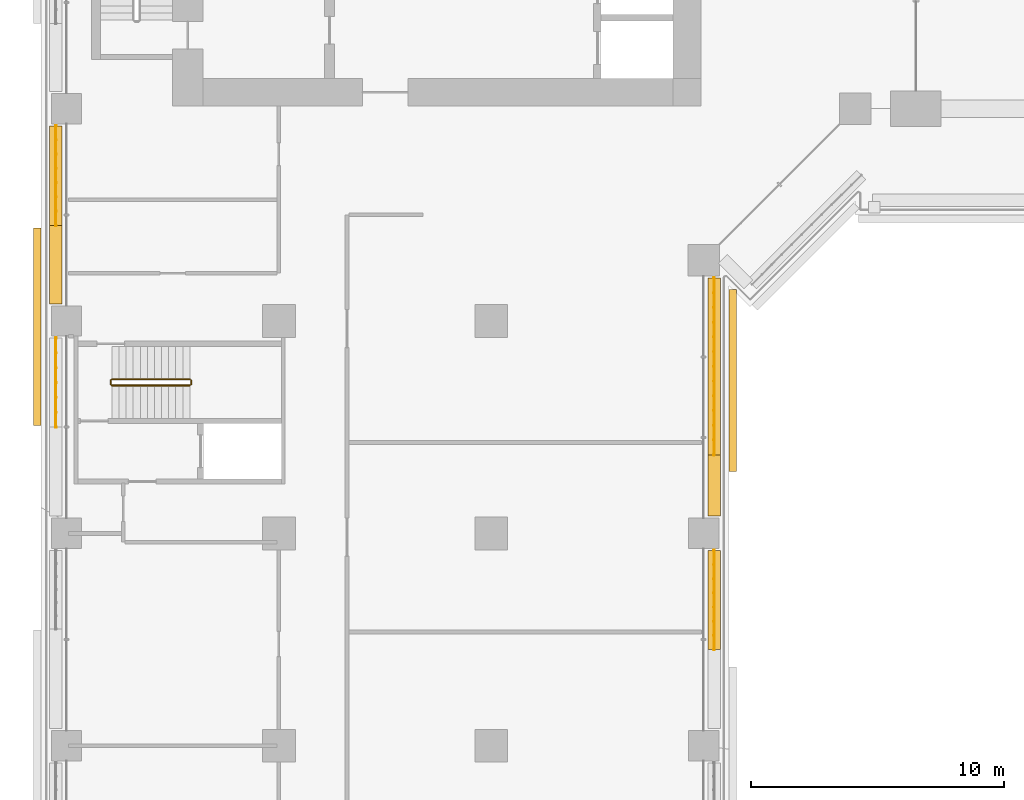
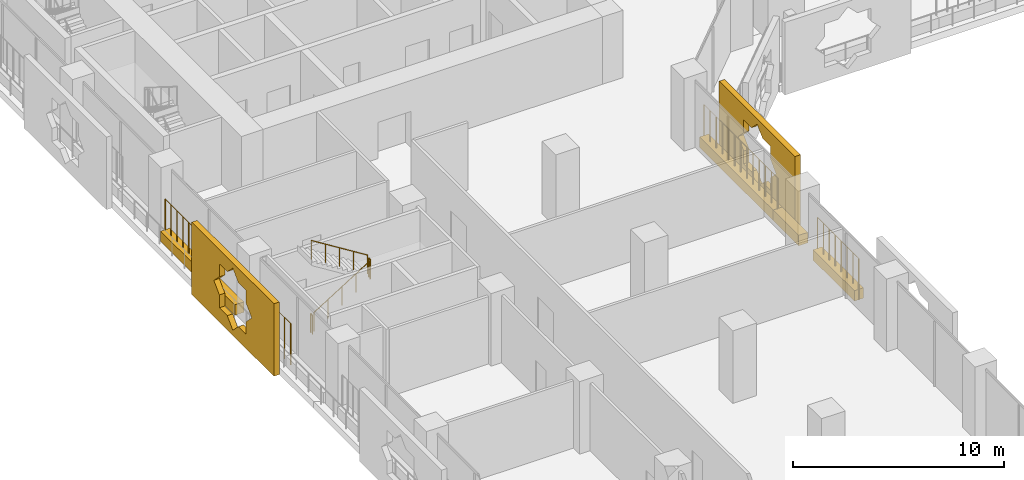
# One storey, part 19 of 27: 8 railings, 7 coverings.
"""IFC4 building model written with IfcOpenShell, lengths in metres."""

from ifc_helpers import new_model, si_unit, direction, frame, origin, origin_2d, place, context, subcontext, project, spatial, polyline, rectangle, circle, outline, extrude, material, material_profile, profile_set, type_object, element, save


model = new_model("IFC4")

# Units and contexts
model_context = context("Model", 3, precision=1e-05, world=origin(), true_north=direction((0.0, 1.0)))
body_context = subcontext(model_context, "Body", "Model", "MODEL_VIEW")
ifc_project = project(units=[si_unit("LENGTHUNIT", "METRE"), si_unit("AREAUNIT", "SQUARE_METRE"), si_unit("VOLUMEUNIT", "CUBIC_METRE"), si_unit("PLANEANGLEUNIT", "RADIAN"), si_unit("MASSUNIT", "GRAM", prefix="KILO")], contexts=[model_context])

# Site, building, storey
site_placement = place(None, origin())
site = spatial("IfcSite", under=ifc_project, at=site_placement, CompositionType="ELEMENT")
building_placement = place(site_placement, origin())
building = spatial("IfcBuilding", under=site, at=building_placement, Name="Kawkab Arch Medical Tower", CompositionType="ELEMENT")
storey_placement = place(building_placement, frame((0.0, 0.0, 39.199951171875)))
storey = spatial("IfcBuildingStorey", under=building, at=storey_placement, Name="L08", CompositionType="ELEMENT", Elevation=39.199951171875)

# Coverings
ifc_material_1 = material(Name="Bronze anodised aluminium mashrabiya panel, eight-point star pattern", Category="aluminium")
ifc_material_profile_1 = material_profile(ifc_material_1, outline(polyline([(-3.60009765625, -2.10009765625), (3.60009765625, -2.10009765625), (3.60009765625, 2.10009765625), (-3.60009765625, 2.10009765625), (-3.60009765625, -2.10009765625)]), holes=[polyline([(1.800048828125, 0.0), (1.272705078125, 0.527099609375), (1.272705078125, 1.272705078125), (0.527099609375, 1.272705078125), (0.0, 1.800048828125), (-0.527099609375, 1.272705078125), (-1.272705078125, 1.272705078125), (-1.272705078125, 0.527099609375), (-1.800048828125, 0.0), (-1.272705078125, -0.527099609375), (-1.272705078125, -1.272705078125), (-0.527099609375, -1.272705078125), (0.0, -1.800048828125), (0.527099609375, -1.272705078125), (1.272705078125, -1.272705078125), (1.272705078125, -0.527099609375), (1.800048828125, 0.0)])]), Name="Mashrabiya panel 7200x4200")
ifc_profile_set_1 = profile_set([ifc_material_profile_1], Name="Bronze anodised aluminium mashrabiya panel, eight-point star pattern")
covering_type_1 = type_object("IfcCoveringType", Name="Mashrabiya panel 7200 x 4200", PredefinedType="USERDEFINED", material=ifc_profile_set_1)
covering_1_placement = place(storey_placement, frame((26.199951171875, -35.944580078125, 1.699951171875), z_axis=(1.0, 0.0, 0.0), x_axis=(0.0, 1.0, 0.0)))
element("IfcCovering", 1, at=covering_1_placement, inside=storey, type_object=covering_type_1, Name="Mashrabiya panel L08.LOG-01-01.16", ObjectType="SCREEN", PredefinedType="USERDEFINED", context=body_context, shape_type="SweptSolid", body=[
    extrude(outline(polyline([(-3.60009765625, -2.10009765625), (3.60009765625, -2.10009765625), (3.60009765625, 2.10009765625), (-3.60009765625, 2.10009765625), (-3.60009765625, -2.10009765625)]), holes=[polyline([(1.800048828125, 0.0), (1.272705078125, 0.527099609375), (1.272705078125, 1.272705078125), (0.527099609375, 1.272705078125), (0.0, 1.800048828125), (-0.527099609375, 1.272705078125), (-1.272705078125, 1.272705078125), (-1.272705078125, 0.527099609375), (-1.800048828125, 0.0), (-1.272705078125, -0.527099609375), (-1.272705078125, -1.272705078125), (-0.527099609375, -1.272705078125), (0.0, -1.800048828125), (0.527099609375, -1.272705078125), (1.272705078125, -1.272705078125), (1.272705078125, -0.527099609375), (1.800048828125, 0.0)])]), origin(), (0.0, 0.0, 1.0), 0.300048828125),
])
ifc_material_2 = material(Name="Bronze anodised aluminium mashrabiya panel, eight-point star pattern", Category="aluminium")
ifc_material_profile_2 = material_profile(ifc_material_2, outline(polyline([(-3.89990234375, -2.10009765625), (3.89990234375, -2.10009765625), (3.89990234375, 2.10009765625), (-3.89990234375, 2.10009765625), (-3.89990234375, -2.10009765625)]), holes=[polyline([(1.800048828125, 0.0), (1.272705078125, 0.527099609375), (1.272705078125, 1.272705078125), (0.527099609375, 1.272705078125), (0.0, 1.800048828125), (-0.527099609375, 1.272705078125), (-1.272705078125, 1.272705078125), (-1.272705078125, 0.527099609375), (-1.800048828125, 0.0), (-1.272705078125, -0.527099609375), (-1.272705078125, -1.272705078125), (-0.527099609375, -1.272705078125), (0.0, -1.800048828125), (0.527099609375, -1.272705078125), (1.272705078125, -1.272705078125), (1.272705078125, -0.527099609375), (1.800048828125, 0.0)])]), Name="Mashrabiya panel 7800x4200")
ifc_profile_set_2 = profile_set([ifc_material_profile_2], Name="Bronze anodised aluminium mashrabiya panel, eight-point star pattern")
covering_type_2 = type_object("IfcCoveringType", Name="Mashrabiya panel 7800 x 4200", PredefinedType="USERDEFINED", material=ifc_profile_set_2)
covering_2_placement = place(storey_placement, frame((-1.0, -33.82470703125, 1.699951171875), z_axis=(-1.0, 0.0, 0.0), x_axis=(0.0, -1.0, 0.0)))
element("IfcCovering", 2, at=covering_2_placement, inside=storey, type_object=covering_type_2, Name="Mashrabiya panel L08.LOG-01-01.4", ObjectType="SCREEN", PredefinedType="USERDEFINED", context=body_context, shape_type="SweptSolid", body=[
    extrude(outline(polyline([(-3.89990234375, -2.10009765625), (3.89990234375, -2.10009765625), (3.89990234375, 2.10009765625), (-3.89990234375, 2.10009765625), (-3.89990234375, -2.10009765625)]), holes=[polyline([(1.800048828125, 0.0), (1.272705078125, 0.527099609375), (1.272705078125, 1.272705078125), (0.527099609375, 1.272705078125), (0.0, 1.800048828125), (-0.527099609375, 1.272705078125), (-1.272705078125, 1.272705078125), (-1.272705078125, 0.527099609375), (-1.800048828125, 0.0), (-1.272705078125, -0.527099609375), (-1.272705078125, -1.272705078125), (-0.527099609375, -1.272705078125), (0.0, -1.800048828125), (0.527099609375, -1.272705078125), (1.272705078125, -1.272705078125), (1.272705078125, -0.527099609375), (1.800048828125, 0.0)])]), origin(), (0.0, 0.0, 1.0), 0.300048828125),
])
ifc_material_3 = material(Name="Planting soil in a precast trough", Category="concrete")
ifc_material_profile_3 = material_profile(ifc_material_3, rectangle(XDim=0.5, YDim=0.60009765625, at=origin_2d()), Name="Trough 500x600")
ifc_profile_set_3 = profile_set([ifc_material_profile_3], Name="Planting soil in a precast trough")
covering_type_3 = type_object("IfcCoveringType", Name="Planter trough 500 x 600", PredefinedType="USERDEFINED", material=ifc_profile_set_3)
covering_3_placement = place(storey_placement, frame((-0.419921875, -32.919921875, 0.300048828125), z_axis=(0.0, 1.0, 0.0), x_axis=(-1.0, 0.0, 0.0)))
element("IfcCovering", 3, at=covering_3_placement, inside=storey, type_object=covering_type_3, Name="Planter L08.LOG-01-01.16", ObjectType="PLANTER", PredefinedType="USERDEFINED", context=body_context, shape_type="SweptSolid", body=[
    extrude(rectangle(XDim=0.5, YDim=0.60009765625, at=origin_2d()), origin(), (0.0, 0.0, 1.0), 3.100830078125),
])
covering_4_placement = place(storey_placement, frame((-0.419921875, -29.819091796875, 0.300048828125), z_axis=(0.0, 1.0, 0.0), x_axis=(-1.0, 0.0, 0.0)))
element("IfcCovering", 4, at=covering_4_placement, inside=storey, type_object=covering_type_3, Name="Planter L08.LOG-01-01.17", ObjectType="PLANTER", PredefinedType="USERDEFINED", context=body_context, shape_type="SweptSolid", body=[
    extrude(rectangle(XDim=0.5, YDim=0.60009765625, at=origin_2d()), origin(), (0.0, 0.0, 1.0), 3.939208984375),
])
covering_5_placement = place(storey_placement, frame((25.6201171875, -31.905029296875, 0.300048828125), z_axis=(0.0, -1.0, 0.0), x_axis=(1.0, 0.0, 0.0)))
element("IfcCovering", 5, at=covering_5_placement, inside=storey, type_object=covering_type_3, Name="Planter L08.LOG-01-01.49", ObjectType="PLANTER", PredefinedType="USERDEFINED", context=body_context, shape_type="SweptSolid", body=[
    extrude(rectangle(XDim=0.5, YDim=0.60009765625, at=origin_2d()), origin(), (0.0, 0.0, 1.0), 6.988037109375),
])
covering_6_placement = place(storey_placement, frame((25.6201171875, -38.89306640625, 0.300048828125), z_axis=(0.0, -1.0, 0.0), x_axis=(1.0, 0.0, 0.0)))
element("IfcCovering", 6, at=covering_6_placement, inside=storey, type_object=covering_type_3, Name="Planter L08.LOG-01-01.50", ObjectType="PLANTER", PredefinedType="USERDEFINED", context=body_context, shape_type="SweptSolid", body=[
    extrude(rectangle(XDim=0.5, YDim=0.60009765625, at=origin_2d()), origin(), (0.0, 0.0, 1.0), 2.427001953125),
])
covering_7_placement = place(storey_placement, frame((25.6201171875, -42.679931640625, 0.300048828125), z_axis=(0.0, -1.0, 0.0), x_axis=(1.0, 0.0, 0.0)))
element("IfcCovering", 7, at=covering_7_placement, inside=storey, type_object=covering_type_3, Name="Planter L08.LOG-01-01.51", ObjectType="PLANTER", PredefinedType="USERDEFINED", context=body_context, shape_type="SweptSolid", body=[
    extrude(rectangle(XDim=0.5, YDim=0.60009765625, at=origin_2d()), origin(), (0.0, 0.0, 1.0), 3.921142578125),
])

# Railings
ifc_material_4 = material(Name="Bronze anodised aluminium trellis for climbing plants", Category="aluminium")
railing_type_1 = type_object("IfcRailingType", Name="Planting trellis 2400", PredefinedType="USERDEFINED", material=ifc_material_4)
railing_1_placement = place(storey_placement, frame((-0.419921875, -37.800048828125, 0.0)))
element("IfcRailing", 8, at=railing_1_placement, inside=storey, type_object=railing_type_1, Name="Planting trellis L08.LOG-01-01.15", ObjectType="TRELLIS", PredefinedType="USERDEFINED", context=body_context, shape_type="SweptSolid", body=[
    extrude(circle(Radius=0.01513671875, at=origin_2d()), frame((0.0, 0.0, 2.384765625), z_axis=(0.0, 1.0, 0.0), x_axis=(-1.0, 0.0, 0.0)), (0.0, 0.0, 1.0), 3.52001953125),
    extrude(circle(Radius=0.030029296875, at=origin_2d()), origin(), (0.0, 0.0, 1.0), 2.369873046875),
    extrude(circle(Radius=0.030029296875, at=origin_2d()), frame((0.0, 0.586669921875, 0.0)), (0.0, 0.0, 1.0), 2.369873046875),
    extrude(circle(Radius=0.030029296875, at=origin_2d()), frame((0.0, 1.17333984375, 0.0)), (0.0, 0.0, 1.0), 2.369873046875),
    extrude(circle(Radius=0.030029296875, at=origin_2d()), frame((0.0, 1.760009765625, 0.0)), (0.0, 0.0, 1.0), 2.369873046875),
    extrude(circle(Radius=0.030029296875, at=origin_2d()), frame((0.0, 2.3466796875, 0.0)), (0.0, 0.0, 1.0), 2.369873046875),
    extrude(circle(Radius=0.030029296875, at=origin_2d()), frame((0.0, 2.933349609375, 0.0)), (0.0, 0.0, 1.0), 2.369873046875),
    extrude(circle(Radius=0.030029296875, at=origin_2d()), frame((0.0, 3.52001953125, 0.0)), (0.0, 0.0, 1.0), 2.369873046875),
])
railing_2_placement = place(storey_placement, frame((-0.419921875, -29.819091796875, 0.0)))
element("IfcRailing", 9, at=railing_2_placement, inside=storey, type_object=railing_type_1, Name="Planting trellis L08.LOG-01-01.17", ObjectType="TRELLIS", PredefinedType="USERDEFINED", context=body_context, shape_type="SweptSolid", body=[
    extrude(circle(Radius=0.01513671875, at=origin_2d()), frame((0.0, 0.0, 2.384765625), z_axis=(0.0, 1.0, 0.0), x_axis=(-1.0, 0.0, 0.0)), (0.0, 0.0, 1.0), 3.939208984375),
    extrude(circle(Radius=0.030029296875, at=origin_2d()), origin(), (0.0, 0.0, 1.0), 2.369873046875),
    extrude(circle(Radius=0.030029296875, at=origin_2d()), frame((0.0, 0.562744140625, 0.0)), (0.0, 0.0, 1.0), 2.369873046875),
    extrude(circle(Radius=0.030029296875, at=origin_2d()), frame((0.0, 1.12548828125, 0.0)), (0.0, 0.0, 1.0), 2.369873046875),
    extrude(circle(Radius=0.030029296875, at=origin_2d()), frame((0.0, 1.688232421875, 0.0)), (0.0, 0.0, 1.0), 2.369873046875),
    extrude(circle(Radius=0.030029296875, at=origin_2d()), frame((0.0, 2.2509765625, 0.0)), (0.0, 0.0, 1.0), 2.369873046875),
    extrude(circle(Radius=0.030029296875, at=origin_2d()), frame((0.0, 2.813720703125, 0.0)), (0.0, 0.0, 1.0), 2.369873046875),
    extrude(circle(Radius=0.030029296875, at=origin_2d()), frame((0.0, 3.37646484375, 0.0)), (0.0, 0.0, 1.0), 2.369873046875),
    extrude(circle(Radius=0.030029296875, at=origin_2d()), frame((0.0, 3.939208984375, 0.0)), (0.0, 0.0, 1.0), 2.369873046875),
])
railing_3_placement = place(storey_placement, frame((25.6201171875, -31.905029296875, 0.0)))
element("IfcRailing", 10, at=railing_3_placement, inside=storey, type_object=railing_type_1, Name="Planting trellis L08.LOG-01-01.49", ObjectType="TRELLIS", PredefinedType="USERDEFINED", context=body_context, shape_type="SweptSolid", body=[
    extrude(circle(Radius=0.01513671875, at=origin_2d()), frame((0.0, 0.0, 2.384765625), z_axis=(0.0, -1.0, 0.0), x_axis=(1.0, 0.0, 0.0)), (0.0, 0.0, 1.0), 6.988037109375),
    extrude(circle(Radius=0.030029296875, at=origin_2d()), origin(), (0.0, 0.0, 1.0), 2.369873046875),
    extrude(circle(Radius=0.030029296875, at=origin_2d()), frame((0.0, -0.582275390625, 0.0)), (0.0, 0.0, 1.0), 2.369873046875),
    extrude(circle(Radius=0.030029296875, at=origin_2d()), frame((0.0, -1.16455078125, 0.0)), (0.0, 0.0, 1.0), 2.369873046875),
    extrude(circle(Radius=0.030029296875, at=origin_2d()), frame((0.0, -1.7470703125, 0.0)), (0.0, 0.0, 1.0), 2.369873046875),
    extrude(circle(Radius=0.030029296875, at=origin_2d()), frame((0.0, -2.329345703125, 0.0)), (0.0, 0.0, 1.0), 2.369873046875),
    extrude(circle(Radius=0.030029296875, at=origin_2d()), frame((0.0, -2.91162109375, 0.0)), (0.0, 0.0, 1.0), 2.369873046875),
    extrude(circle(Radius=0.030029296875, at=origin_2d()), frame((0.0, -3.494140625, 0.0)), (0.0, 0.0, 1.0), 2.369873046875),
    extrude(circle(Radius=0.030029296875, at=origin_2d()), frame((0.0, -4.076416015625, 0.0)), (0.0, 0.0, 1.0), 2.369873046875),
    extrude(circle(Radius=0.030029296875, at=origin_2d()), frame((0.0, -4.65869140625, 0.0)), (0.0, 0.0, 1.0), 2.369873046875),
    extrude(circle(Radius=0.030029296875, at=origin_2d()), frame((0.0, -5.240966796875, 0.0)), (0.0, 0.0, 1.0), 2.369873046875),
    extrude(circle(Radius=0.030029296875, at=origin_2d()), frame((0.0, -5.8232421875, 0.0)), (0.0, 0.0, 1.0), 2.369873046875),
    extrude(circle(Radius=0.030029296875, at=origin_2d()), frame((0.0, -6.40576171875, 0.0)), (0.0, 0.0, 1.0), 2.369873046875),
    extrude(circle(Radius=0.030029296875, at=origin_2d()), frame((0.0, -6.988037109375, 0.0)), (0.0, 0.0, 1.0), 2.369873046875),
])
railing_4_placement = place(storey_placement, frame((25.6201171875, -42.679931640625, 0.0)))
element("IfcRailing", 11, at=railing_4_placement, inside=storey, type_object=railing_type_1, Name="Planting trellis L08.LOG-01-01.51", ObjectType="TRELLIS", PredefinedType="USERDEFINED", context=body_context, shape_type="SweptSolid", body=[
    extrude(circle(Radius=0.01513671875, at=origin_2d()), frame((0.0, 0.0, 2.384765625), z_axis=(0.0, -1.0, 0.0), x_axis=(1.0, 0.0, 0.0)), (0.0, 0.0, 1.0), 3.921142578125),
    extrude(circle(Radius=0.030029296875, at=origin_2d()), origin(), (0.0, 0.0, 1.0), 2.369873046875),
    extrude(circle(Radius=0.030029296875, at=origin_2d()), frame((0.0, -0.56005859375, 0.0)), (0.0, 0.0, 1.0), 2.369873046875),
    extrude(circle(Radius=0.030029296875, at=origin_2d()), frame((0.0, -1.120361328125, 0.0)), (0.0, 0.0, 1.0), 2.369873046875),
    extrude(circle(Radius=0.030029296875, at=origin_2d()), frame((0.0, -1.680419921875, 0.0)), (0.0, 0.0, 1.0), 2.369873046875),
    extrude(circle(Radius=0.030029296875, at=origin_2d()), frame((0.0, -2.24072265625, 0.0)), (0.0, 0.0, 1.0), 2.369873046875),
    extrude(circle(Radius=0.030029296875, at=origin_2d()), frame((0.0, -2.80078125, 0.0)), (0.0, 0.0, 1.0), 2.369873046875),
    extrude(circle(Radius=0.030029296875, at=origin_2d()), frame((0.0, -3.361083984375, 0.0)), (0.0, 0.0, 1.0), 2.369873046875),
    extrude(circle(Radius=0.030029296875, at=origin_2d()), frame((0.0, -3.921142578125, 0.0)), (0.0, 0.0, 1.0), 2.369873046875),
])
ifc_material_5 = material(Name="Stainless steel", Category="steel")
railing_type_2 = type_object("IfcRailingType", Name="Stair guard 1100", PredefinedType="GUARDRAIL", material=ifc_material_5)
railing_5_placement = place(storey_placement, frame((1.800048828125, -36.14990234375, 0.175048828125)))
element("IfcRailing", 12, at=railing_5_placement, inside=storey, type_object=railing_type_2, Name="L08 ST6 stair guard 1", PredefinedType="GUARDRAIL", context=body_context, shape_type="SweptSolid", body=[
    extrude(circle(Radius=0.02392578125, at=origin_2d()), frame((0.0, 0.0, 1.076171875), z_axis=(0.847979421464, 0.0, 0.530029150871), x_axis=(0.0, 1.0, 0.0)), (0.0, 0.0, 1.0), 3.632080078125),
    extrude(circle(Radius=0.02099609375, at=origin_2d()), origin(), (0.0, 0.0, 1.0), 1.052001953125),
    extrude(circle(Radius=0.02099609375, at=origin_2d()), frame((0.77001953125, 0.0, 0.481201171875)), (0.0, 0.0, 1.0), 1.052001953125),
    extrude(circle(Radius=0.02099609375, at=origin_2d()), frame((1.5400390625, 0.0, 0.96240234375)), (0.0, 0.0, 1.0), 1.052001953125),
    extrude(circle(Radius=0.02099609375, at=origin_2d()), frame((2.309814453125, 0.0, 1.44384765625)), (0.0, 0.0, 1.0), 1.052001953125),
    extrude(circle(Radius=0.02099609375, at=origin_2d()), frame((3.079833984375, 0.0, 1.925048828125)), (0.0, 0.0, 1.0), 1.052001953125),
])
railing_6_placement = place(storey_placement, frame((4.929931640625, -36.10009765625, 2.10009765625)))
element("IfcRailing", 13, at=railing_6_placement, inside=storey, type_object=railing_type_2, Name="L08 ST6 stair guard 2", PredefinedType="GUARDRAIL", context=body_context, shape_type="SweptSolid", body=[
    extrude(circle(Radius=0.02392578125, at=origin_2d()), frame((0.0, 0.0, 1.076171875), z_axis=(0.0, 1.0, 0.0), x_axis=(-1.0, 0.0, 0.0)), (0.0, 0.0, 1.0), 0.150146484375),
    extrude(circle(Radius=0.02099609375, at=origin_2d()), origin(), (0.0, 0.0, 1.0), 1.052001953125),
    extrude(circle(Radius=0.02099609375, at=origin_2d()), frame((0.0, 0.150146484375, 0.0)), (0.0, 0.0, 1.0), 1.052001953125),
])
railing_7_placement = place(storey_placement, frame((4.8798828125, -35.89990234375, 2.275146484375)))
element("IfcRailing", 14, at=railing_7_placement, inside=storey, type_object=railing_type_2, Name="L08 ST6 stair guard 3", PredefinedType="GUARDRAIL", context=body_context, shape_type="SweptSolid", body=[
    extrude(circle(Radius=0.02392578125, at=origin_2d()), frame((0.0, 0.0, 1.076171875), z_axis=(-0.848009633417, 0.0, 0.529980812513), x_axis=(0.0, -1.0, 0.0)), (0.0, 0.0, 1.0), 3.6318359375),
    extrude(circle(Radius=0.02099609375, at=origin_2d()), origin(), (0.0, 0.0, 1.0), 1.052001953125),
    extrude(circle(Radius=0.02099609375, at=origin_2d()), frame((-0.77001953125, 0.0, 0.481201171875)), (0.0, 0.0, 1.0), 1.052001953125),
    extrude(circle(Radius=0.02099609375, at=origin_2d()), frame((-1.5400390625, 0.0, 0.96240234375)), (0.0, 0.0, 1.0), 1.052001953125),
    extrude(circle(Radius=0.02099609375, at=origin_2d()), frame((-2.309814453125, 0.0, 1.443603515625)), (0.0, 0.0, 1.0), 1.052001953125),
    extrude(circle(Radius=0.02099609375, at=origin_2d()), frame((-3.079833984375, 0.0, 1.9248046875)), (0.0, 0.0, 1.0), 1.052001953125),
])
railing_8_placement = place(storey_placement, frame((1.75, -36.10009765625, 0.0)))
element("IfcRailing", 15, at=railing_8_placement, inside=storey, type_object=railing_type_2, Name="L08 ST6 stair guard 4", PredefinedType="GUARDRAIL", context=body_context, shape_type="SweptSolid", body=[
    extrude(circle(Radius=0.02392578125, at=origin_2d()), frame((0.0, 0.0, 1.076171875), z_axis=(0.0, 1.0, 0.0), x_axis=(-1.0, 0.0, 0.0)), (0.0, 0.0, 1.0), 0.150146484375),
    extrude(circle(Radius=0.02099609375, at=origin_2d()), origin(), (0.0, 0.0, 1.0), 1.052001953125),
    extrude(circle(Radius=0.02099609375, at=origin_2d()), frame((0.0, 0.150146484375, 0.0)), (0.0, 0.0, 1.0), 1.052001953125),
])

save(model, "model.ifc")
